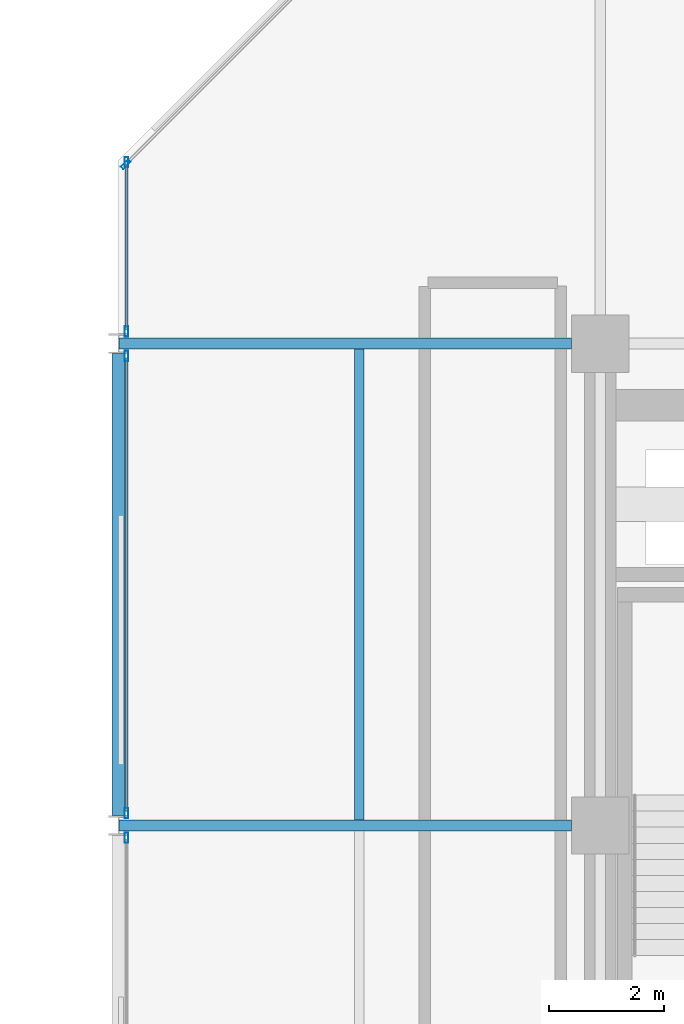
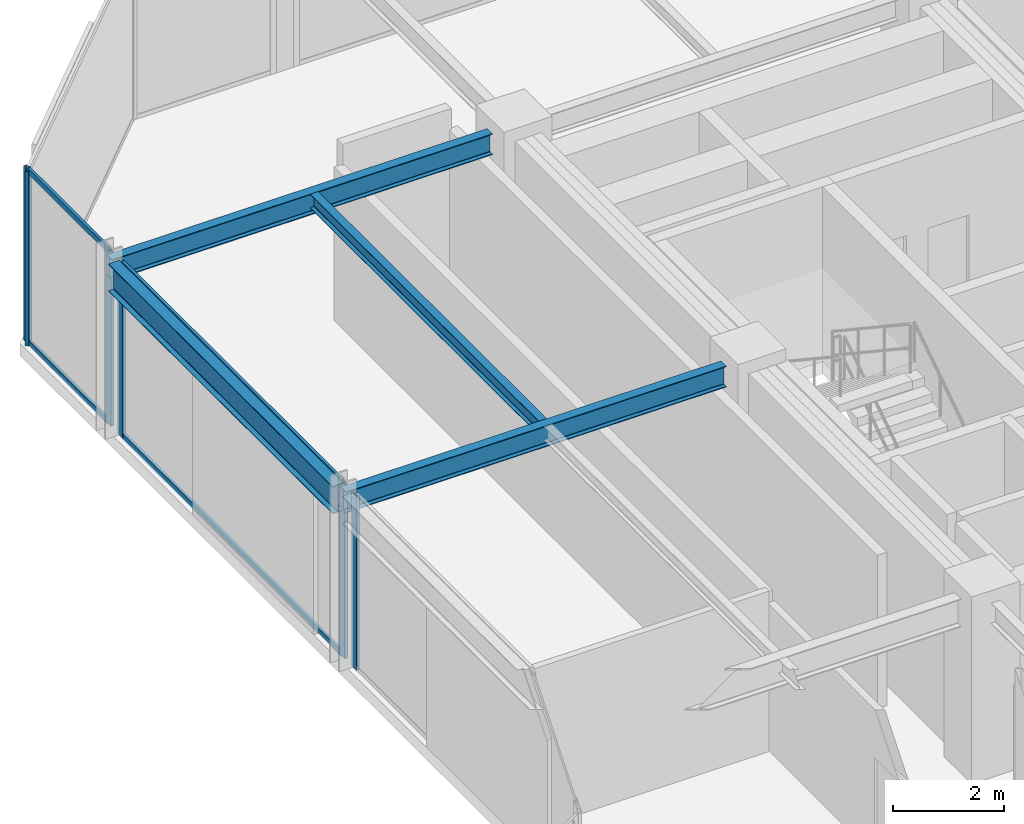
# One storey, part 17 of 29: 10 members, 4 beams, 4 elements without a shape of their own.
"""IFC4 building model written with IfcOpenShell, lengths in metres."""

from ifc_helpers import new_model, si_unit, direction, frame, origin, origin_2d, place, context, subcontext, project, spatial, hollow_rectangle, i_section, extrude, material, layer, layer_set, material_profile, profile_set, type_object, element, aggregate, save


model = new_model("IFC4")

# Units and contexts
model_context = context("Model", 3, precision=1e-05, world=origin(), true_north=direction((0.0, 1.0)))
body_context = subcontext(model_context, "Body", "Model", "MODEL_VIEW")
ifc_project = project(units=[si_unit("LENGTHUNIT", "METRE"), si_unit("AREAUNIT", "SQUARE_METRE"), si_unit("VOLUMEUNIT", "CUBIC_METRE"), si_unit("PLANEANGLEUNIT", "RADIAN"), si_unit("MASSUNIT", "GRAM", prefix="KILO")], contexts=[model_context])

# Site, building, storey
site_placement = place(None, origin())
site = spatial("IfcSite", under=ifc_project, at=site_placement, CompositionType="ELEMENT")
building_placement = place(site_placement, origin())
building = spatial("IfcBuilding", under=site, at=building_placement, Name="Nerrivon Quay Data Exchange", CompositionType="ELEMENT")
storey_placement = place(building_placement, frame((0.0, 0.0, 212.39990234375)))
storey = spatial("IfcBuildingStorey", under=building, at=storey_placement, Name="L50", CompositionType="ELEMENT", Elevation=212.39990234375)

# Beams
ifc_material_1 = material(Name="Steel Grade 350", Category="steel")
ifc_material_profile_1 = material_profile(ifc_material_1, i_section(OverallWidth=0.22802734375, OverallDepth=0.60205078125, WebThickness=0.010498046875, FlangeThickness=0.014892578125, FilletRadius=0.013916015625, at=origin_2d()), Name="610UB101")
ifc_profile_set_1 = profile_set([ifc_material_profile_1], Name="Steel Grade 350")
beam_type_1 = type_object("IfcBeamType", Name="BM-G2-610UB101", PredefinedType="BEAM", material=ifc_profile_set_1)
beam_1_placement = place(storey_placement, frame((0.0, 33.77490234375, 3.524169921875), z_axis=(0.0, 1.0, 0.0), x_axis=(-1.0, 0.0, 0.0)))
element("IfcBeam", 1, at=beam_1_placement, inside=storey, type_object=beam_type_1, Name="L50 NS Girder X=0.0 (33.6..42.0)", PredefinedType="BEAM", context=body_context, shape_type="SweptSolid", body=[
    extrude(i_section(OverallWidth=0.22802734375, OverallDepth=0.60205078125, WebThickness=0.010498046875, FlangeThickness=0.014892578125, FilletRadius=0.013916015625, at=origin_2d()), origin(), (0.0, 0.0, 1.0), 8.050048828125),
])
ifc_material_profile_2 = material_profile(ifc_material_1, i_section(OverallWidth=0.19091796875, OverallDepth=0.4599609375, WebThickness=0.010009765625, FlangeThickness=0.01611328125, FilletRadius=0.011474609375, at=origin_2d()), Name="460UB82.1")
ifc_profile_set_2 = profile_set([ifc_material_profile_2], Name="Steel Grade 350")
beam_type_2 = type_object("IfcBeamType", Name="BM-G5-460UB82", PredefinedType="BEAM", material=ifc_profile_set_2)
for number, where, z_axis, x_axis, name in (
    (2, (0.010009765625, 33.60009765625, 3.59521484375), (1.0, 0.0, 0.0), (0.0, 1.0, 0.0), "L50 EW Girder Y=33.6 (0.0..8.4)"),
    (3, (0.010009765625, 42.0, 3.59521484375), (1.0, 0.0, 0.0), (0.0, 1.0, 0.0), "L50 EW Girder Y=42.0 (0.0..8.4)"),
):
    element("IfcBeam", number, at=place(storey_placement, frame(where, z_axis=z_axis, x_axis=x_axis)), inside=storey, type_object=beam_type_2, Name=name, PredefinedType="BEAM", context=body_context, shape_type="SweptSolid", body=[
        extrude(i_section(OverallWidth=0.19091796875, OverallDepth=0.4599609375, WebThickness=0.010009765625, FlangeThickness=0.01611328125, FilletRadius=0.011474609375, at=origin_2d()), origin(), (0.0, 0.0, 1.0), 7.889892578125),
    ])
ifc_material_profile_3 = material_profile(ifc_material_1, i_section(OverallWidth=0.166015625, OverallDepth=0.306884765625, WebThickness=0.006591796875, FlangeThickness=0.01171875, FilletRadius=0.011474609375, at=origin_2d()), Name="310UB46.2")
ifc_profile_set_3 = profile_set([ifc_material_profile_3], Name="Steel Grade 350")
beam_type_3 = type_object("IfcBeamType", Name="BM-J5-310UB46", PredefinedType="JOIST", material=ifc_profile_set_3)
beam_2_placement = place(storey_placement, frame((4.199951171875, 33.695556640625, 3.671630859375), z_axis=(0.0, 1.0, 0.0), x_axis=(-1.0, 0.0, 0.0)))
element("IfcBeam", 4, at=beam_2_placement, inside=storey, type_object=beam_type_3, Name="L50 Secondary Joist X=4.2 (33.6..42.0)", PredefinedType="JOIST", context=body_context, shape_type="SweptSolid", body=[
    extrude(i_section(OverallWidth=0.166015625, OverallDepth=0.306884765625, WebThickness=0.006591796875, FlangeThickness=0.01171875, FilletRadius=0.011474609375, at=origin_2d()), origin(), (0.0, 0.0, 1.0), 8.208984375),
])

# Curtain wall, member
ifc_material_2 = material(Name="Anodised aluminium 6063-T6", Category="aluminium")
ifc_layer = layer(ifc_material_2, 0.195068359375)
ifc_layer_set = layer_set([ifc_layer], Name="Anodised aluminium 6063-T6")
curtain_wall_type = type_object("IfcCurtainWallType", Name="CW-SYS-06", PredefinedType="NOTDEFINED", material=ifc_layer_set)
curtain_wall_1_placement = place(storey_placement, origin())
curtain_wall_1 = element("IfcCurtainWall", 5, at=curtain_wall_1_placement, inside=storey, type_object=curtain_wall_type, Name="L50 Unitised Curtain Wall 4", PredefinedType="NOTDEFINED")
ifc_material_profile_4 = material_profile(ifc_material_2, hollow_rectangle(XDim=0.06494140625, YDim=0.179931640625, WallThickness=0.00341796875, at=origin_2d()), Name="ALU-MULL-180x65")
ifc_profile_set_4 = profile_set([ifc_material_profile_4], Name="Anodised aluminium 6063-T6")
member_type_1 = type_object("IfcMemberType", Name="CWM-180x65", PredefinedType="MULLION", material=ifc_profile_set_4)
member_1_placement = place(storey_placement, frame((0.139892578125, 33.387451171875, 0.0), z_axis=(0.0, 0.0, 1.0), x_axis=(-1.0, 0.0, 0.0)))
member_1 = element("IfcMember", 6, at=member_1_placement, type_object=member_type_1, Name="CW06 mullion 2", PredefinedType="MULLION", context=body_context, shape_type="SweptSolid", body=[
    extrude(hollow_rectangle(XDim=0.06494140625, YDim=0.179931640625, WallThickness=0.00341796875, at=origin_2d()), origin(), (0.0, 0.0, 1.0), 3.8251953125),
])
aggregate(curtain_wall_1, [member_1])

# Curtain wall, members
curtain_wall_2_placement = place(storey_placement, origin())
curtain_wall_2 = element("IfcCurtainWall", 7, at=curtain_wall_2_placement, inside=storey, type_object=curtain_wall_type, Name="L50 Unitised Curtain Wall 5", PredefinedType="NOTDEFINED")
member_2_placement = place(storey_placement, frame((0.139892578125, 33.8125, 0.0), z_axis=(0.0, 0.0, 1.0), x_axis=(-1.0, 0.0, 0.0)))
member_2 = element("IfcMember", 8, at=member_2_placement, type_object=member_type_1, Name="CW06 mullion 1", PredefinedType="MULLION", context=body_context, shape_type="SweptSolid", body=[
    extrude(hollow_rectangle(XDim=0.06494140625, YDim=0.179931640625, WallThickness=0.00341796875, at=origin_2d()), origin(), (0.0, 0.0, 1.0), 3.8251953125),
])
member_3_placement = place(storey_placement, frame((0.139892578125, 41.78759765625, 0.0), z_axis=(0.0, 0.0, 1.0), x_axis=(-1.0, 0.0, 0.0)))
member_3 = element("IfcMember", 9, at=member_3_placement, type_object=member_type_1, Name="CW06 mullion 2", PredefinedType="MULLION", context=body_context, shape_type="SweptSolid", body=[
    extrude(hollow_rectangle(XDim=0.06494140625, YDim=0.179931640625, WallThickness=0.00341796875, at=origin_2d()), origin(), (0.0, 0.0, 1.0), 3.8251953125),
])

curtain_wall_3_placement = place(storey_placement, origin())
curtain_wall_3 = element("IfcCurtainWall", 10, at=curtain_wall_3_placement, inside=storey, type_object=curtain_wall_type, Name="L50 Unitised Curtain Wall 6", PredefinedType="NOTDEFINED")
member_4_placement = place(storey_placement, frame((0.139892578125, 42.21240234375, 0.0), z_axis=(0.0, 0.0, 1.0), x_axis=(-1.0, 0.0, 0.0)))
member_4 = element("IfcMember", 11, at=member_4_placement, type_object=member_type_1, Name="CW06 mullion 1", PredefinedType="MULLION", context=body_context, shape_type="SweptSolid", body=[
    extrude(hollow_rectangle(XDim=0.06494140625, YDim=0.179931640625, WallThickness=0.00341796875, at=origin_2d()), origin(), (0.0, 0.0, 1.0), 3.8251953125),
])
member_5_placement = place(storey_placement, frame((0.139892578125, 45.16259765625, 0.0), z_axis=(0.0, 0.0, 1.0), x_axis=(-1.0, 0.0, 0.0)))
member_5 = element("IfcMember", 12, at=member_5_placement, type_object=member_type_1, Name="CW06 mullion 2", PredefinedType="MULLION", context=body_context, shape_type="SweptSolid", body=[
    extrude(hollow_rectangle(XDim=0.06494140625, YDim=0.179931640625, WallThickness=0.00341796875, at=origin_2d()), origin(), (0.0, 0.0, 1.0), 3.8251953125),
])

# Curtain wall, member
curtain_wall_4_placement = place(storey_placement, origin())
curtain_wall_4 = element("IfcCurtainWall", 13, at=curtain_wall_4_placement, inside=storey, type_object=curtain_wall_type, Name="L50 Unitised Curtain Wall 7", PredefinedType="NOTDEFINED")
member_6_placement = place(storey_placement, frame((0.12548828125, 45.12744140625, 0.0), z_axis=(0.0, 0.0, 1.0), x_axis=(-0.707106781187, 0.707106781187, 0.0)))
member_6 = element("IfcMember", 14, at=member_6_placement, type_object=member_type_1, Name="CW06 mullion 1", PredefinedType="MULLION", context=body_context, shape_type="SweptSolid", body=[
    extrude(hollow_rectangle(XDim=0.06494140625, YDim=0.179931640625, WallThickness=0.00341796875, at=origin_2d()), origin(), (0.0, 0.0, 1.0), 3.8251953125),
])
aggregate(curtain_wall_4, [member_6])

# Member
ifc_material_profile_5 = material_profile(ifc_material_2, hollow_rectangle(XDim=0.06005859375, YDim=0.1201171875, WallThickness=0.003173828125, at=origin_2d()), Name="ALU-TRAN-120x60")
ifc_profile_set_5 = profile_set([ifc_material_profile_5], Name="Anodised aluminium 6063-T6")
member_type_2 = type_object("IfcMemberType", Name="CWT-120x60", PredefinedType="USERDEFINED", material=ifc_profile_set_5)
member_7_placement = place(storey_placement, frame((0.139892578125, 33.85009765625, 0.03271484375), z_axis=(0.0, 1.0, 0.0), x_axis=(-1.0, 0.0, 0.0)))
member_7 = element("IfcMember", 15, at=member_7_placement, type_object=member_type_2, Name="CW06 transom 1.1", ObjectType="TRANSOM", PredefinedType="USERDEFINED", context=body_context, shape_type="SweptSolid", body=[
    extrude(hollow_rectangle(XDim=0.06005859375, YDim=0.1201171875, WallThickness=0.003173828125, at=origin_2d()), origin(), (0.0, 0.0, 1.0), 7.89990234375),
])

member_8_placement = place(storey_placement, frame((0.139892578125, 33.85009765625, 3.79248046875), z_axis=(0.0, 1.0, 0.0), x_axis=(-1.0, 0.0, 0.0)))
member_8 = element("IfcMember", 16, at=member_8_placement, type_object=member_type_2, Name="CW06 transom 1.2", ObjectType="TRANSOM", PredefinedType="USERDEFINED", context=body_context, shape_type="SweptSolid", body=[
    extrude(hollow_rectangle(XDim=0.06005859375, YDim=0.1201171875, WallThickness=0.003173828125, at=origin_2d()), origin(), (0.0, 0.0, 1.0), 7.89990234375),
])

aggregate(curtain_wall_2, [member_2, member_3, member_7, member_8])

member_9_placement = place(storey_placement, frame((0.139892578125, 42.25, 0.03271484375), z_axis=(0.0, 1.0, 0.0), x_axis=(-1.0, 0.0, 0.0)))
member_9 = element("IfcMember", 17, at=member_9_placement, type_object=member_type_2, Name="CW06 transom 1.1", ObjectType="TRANSOM", PredefinedType="USERDEFINED", context=body_context, shape_type="SweptSolid", body=[
    extrude(hollow_rectangle(XDim=0.06005859375, YDim=0.1201171875, WallThickness=0.003173828125, at=origin_2d()), origin(), (0.0, 0.0, 1.0), 2.875),
])

member_10_placement = place(storey_placement, frame((0.139892578125, 42.25, 3.79248046875), z_axis=(0.0, 1.0, 0.0), x_axis=(-1.0, 0.0, 0.0)))
member_10 = element("IfcMember", 18, at=member_10_placement, type_object=member_type_2, Name="CW06 transom 1.2", ObjectType="TRANSOM", PredefinedType="USERDEFINED", context=body_context, shape_type="SweptSolid", body=[
    extrude(hollow_rectangle(XDim=0.06005859375, YDim=0.1201171875, WallThickness=0.003173828125, at=origin_2d()), origin(), (0.0, 0.0, 1.0), 2.875),
])

aggregate(curtain_wall_3, [member_4, member_5, member_9, member_10])

save(model, "model.ifc")
